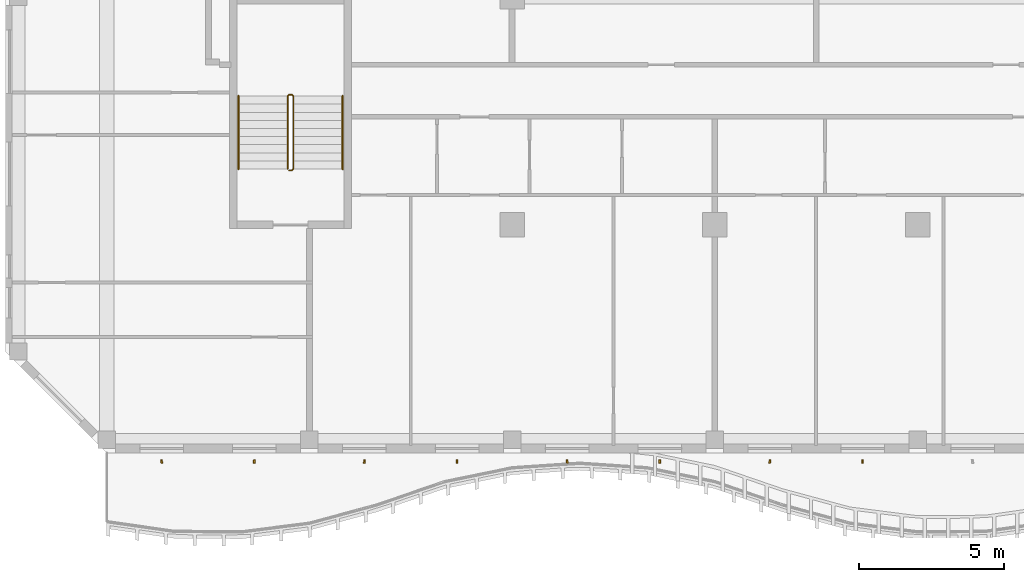
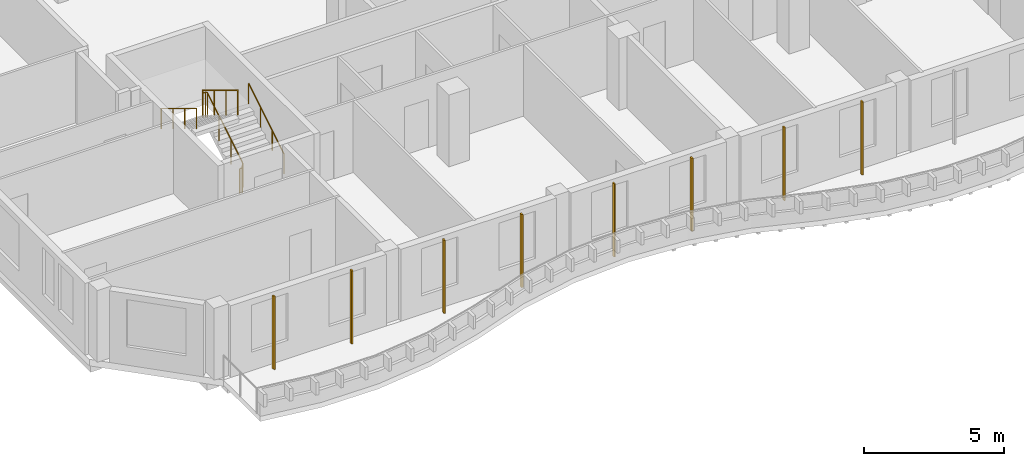
# One storey, part 11 of 17: 8 shading devices, 3 railings.
"""IFC4 building model written with IfcOpenShell, lengths in metres."""

from ifc_helpers import new_model, si_unit, direction, frame, origin, origin_2d, place, context, subcontext, project, spatial, rectangle, circle, extrude, source, transform, mapped, material, material_profile, profile_set, type_object, element, save


model = new_model("IFC4")

# Units and contexts
model_context = context("Model", 3, precision=1e-05, world=origin(), true_north=direction((0.0, 1.0)))
body_context = subcontext(model_context, "Body", "Model", "MODEL_VIEW")
ifc_project = project(units=[si_unit("LENGTHUNIT", "METRE"), si_unit("AREAUNIT", "SQUARE_METRE"), si_unit("VOLUMEUNIT", "CUBIC_METRE"), si_unit("PLANEANGLEUNIT", "RADIAN"), si_unit("MASSUNIT", "GRAM", prefix="KILO")], contexts=[model_context])

# Site, building, storey
site_placement = place(None, origin())
site = spatial("IfcSite", under=ifc_project, at=site_placement, CompositionType="ELEMENT")
building_placement = place(site_placement, origin())
building = spatial("IfcBuilding", under=site, at=building_placement, Name="Kilnfold Tower and Market Hall", CompositionType="ELEMENT")
storey_placement = place(building_placement, frame((0.0, 0.0, 298.39990234375)))
storey = spatial("IfcBuildingStorey", under=building, at=storey_placement, Name="L74", CompositionType="ELEMENT", Elevation=298.39990234375)

# Railings
ifc_material_1 = material(Name="Stainless steel 316", Category="steel")
railing_type_1 = type_object("IfcRailingType", Name="CORE STAIR GUARD 1100", PredefinedType="GUARDRAIL", material=ifc_material_1)
railing_1_placement = place(storey_placement, frame((-15.699951171875, -13.75, 0.0)))
element("IfcRailing", 1, at=railing_1_placement, inside=storey, type_object=railing_type_1, Name="L74 ST3 stair guard 1", PredefinedType="GUARDRAIL", context=body_context, shape_type="SweptSolid", body=[
    extrude(circle(Radius=0.02392578125, at=origin_2d()), frame((0.0, 0.0, 1.076171875), z_axis=(1.0, 0.0, 0.0), x_axis=(0.0, 1.0, 0.0)), (0.0, 0.0, 1.0), 0.099853515625),
    extrude(circle(Radius=0.02392578125, at=origin_2d()), frame((0.099853515625, 0.0, 1.076171875), z_axis=(0.271562723297, 0.271562723297, 0.923313259209), x_axis=(-0.707106781187, 0.707106781187, 0.0)), (0.0, 0.0, 1.0), 0.184326171875),
    extrude(circle(Radius=0.02392578125, at=origin_2d()), frame((0.14990234375, 0.050048828125, 1.24609375), z_axis=(0.0, 0.85478489116, 0.518982456201), x_axis=(-1.0, 0.0, 0.0)), (0.0, 0.0, 1.0), 2.9482421875),
    extrude(circle(Radius=0.02392578125, at=origin_2d()), frame((0.14990234375, 2.570068359375, 2.7763671875), z_axis=(-0.707106781187, 0.707106781187, 0.0), x_axis=(-0.707106781187, -0.707106781187, 0.0)), (0.0, 0.0, 1.0), 0.07080078125),
    extrude(circle(Radius=0.02392578125, at=origin_2d()), frame((0.099853515625, 2.6201171875, 2.7763671875), z_axis=(-1.0, 0.0, 0.0), x_axis=(0.0, -1.0, 0.0)), (0.0, 0.0, 1.0), 0.099853515625),
    extrude(circle(Radius=0.02392578125, at=origin_2d()), frame((0.0, 2.6201171875, 2.7763671875), z_axis=(-0.271895245746, -0.271895245746, 0.923117517265), x_axis=(0.707106781187, -0.707106781187, 0.0)), (0.0, 0.0, 1.0), 0.18408203125),
    extrude(circle(Radius=0.02392578125, at=origin_2d()), frame((-0.050048828125, 2.570068359375, 2.9462890625), z_axis=(0.0, -0.85478489116, 0.518982456201), x_axis=(1.0, 0.0, 0.0)), (0.0, 0.0, 1.0), 2.9482421875),
    extrude(circle(Radius=0.02099609375, at=origin_2d()), origin(), (0.0, 0.0, 1.0), 1.052001953125),
    extrude(circle(Radius=0.02099609375, at=origin_2d()), frame((0.099853515625, 0.0, 0.0)), (0.0, 0.0, 1.0), 1.052001953125),
    extrude(circle(Radius=0.02099609375, at=origin_2d()), frame((0.14990234375, 0.050048828125, 0.170166015625)), (0.0, 0.0, 1.0), 1.052001953125),
    extrude(circle(Radius=0.02099609375, at=origin_2d()), frame((0.14990234375, 0.89013671875, 0.68017578125)), (0.0, 0.0, 1.0), 1.052001953125),
    extrude(circle(Radius=0.02099609375, at=origin_2d()), frame((0.14990234375, 1.72998046875, 1.190185546875)), (0.0, 0.0, 1.0), 1.052001953125),
    extrude(circle(Radius=0.02099609375, at=origin_2d()), frame((0.14990234375, 2.570068359375, 1.7001953125)), (0.0, 0.0, 1.0), 1.052001953125),
    extrude(circle(Radius=0.02099609375, at=origin_2d()), frame((0.099853515625, 2.6201171875, 1.7001953125)), (0.0, 0.0, 1.0), 1.052001953125),
    extrude(circle(Radius=0.02099609375, at=origin_2d()), frame((0.0, 2.6201171875, 1.7001953125)), (0.0, 0.0, 1.0), 1.052001953125),
    extrude(circle(Radius=0.02099609375, at=origin_2d()), frame((-0.050048828125, 2.570068359375, 1.8701171875)), (0.0, 0.0, 1.0), 1.052001953125),
    extrude(circle(Radius=0.02099609375, at=origin_2d()), frame((-0.050048828125, 1.72998046875, 2.380126953125)), (0.0, 0.0, 1.0), 1.052001953125),
    extrude(circle(Radius=0.02099609375, at=origin_2d()), frame((-0.050048828125, 0.89013671875, 2.89013671875)), (0.0, 0.0, 1.0), 1.052001953125),
    extrude(circle(Radius=0.02099609375, at=origin_2d()), frame((-0.050048828125, 0.050048828125, 3.400146484375)), (0.0, 0.0, 1.0), 1.052001953125),
])
ifc_material_2 = material(Name="Stainless steel 316", Category="steel")
railing_type_2 = type_object("IfcRailingType", Name="CORE STAIR HANDRAIL 900", PredefinedType="HANDRAIL", material=ifc_material_2)
railing_2_placement = place(storey_placement, frame((-13.85009765625, -13.699951171875, 0.170166015625)))
element("IfcRailing", 2, at=railing_2_placement, inside=storey, type_object=railing_type_2, Name="L74 ST3 stair handrail 1", PredefinedType="HANDRAIL", context=body_context, shape_type="SweptSolid", body=[
    extrude(circle(Radius=0.02392578125, at=origin_2d()), frame((0.0, 0.0, 0.8759765625), z_axis=(0.0, 0.85478489116, 0.518982456201), x_axis=(-1.0, 0.0, 0.0)), (0.0, 0.0, 1.0), 2.9482421875),
    extrude(circle(Radius=0.02099609375, at=origin_2d()), origin(), (0.0, 0.0, 1.0), 0.851806640625),
    extrude(circle(Radius=0.02099609375, at=origin_2d()), frame((0.0, 0.840087890625, 0.510009765625)), (0.0, 0.0, 1.0), 0.851806640625),
    extrude(circle(Radius=0.02099609375, at=origin_2d()), frame((0.0, 1.679931640625, 1.02001953125)), (0.0, 0.0, 1.0), 0.851806640625),
    extrude(circle(Radius=0.02099609375, at=origin_2d()), frame((0.0, 2.52001953125, 1.530029296875)), (0.0, 0.0, 1.0), 0.851806640625),
])
railing_3_placement = place(storey_placement, frame((-17.449951171875, -11.179931640625, 1.8701171875)))
element("IfcRailing", 3, at=railing_3_placement, inside=storey, type_object=railing_type_2, Name="L74 ST3 stair handrail 2", PredefinedType="HANDRAIL", context=body_context, shape_type="SweptSolid", body=[
    extrude(circle(Radius=0.02392578125, at=origin_2d()), frame((0.0, 0.0, 0.8759765625), z_axis=(0.0, -0.85478489116, 0.518982456201), x_axis=(1.0, 0.0, 0.0)), (0.0, 0.0, 1.0), 2.9482421875),
    extrude(circle(Radius=0.02099609375, at=origin_2d()), origin(), (0.0, 0.0, 1.0), 0.851806640625),
    extrude(circle(Radius=0.02099609375, at=origin_2d()), frame((0.0, -0.840087890625, 0.510009765625)), (0.0, 0.0, 1.0), 0.851806640625),
    extrude(circle(Radius=0.02099609375, at=origin_2d()), frame((0.0, -1.679931640625, 1.02001953125)), (0.0, 0.0, 1.0), 0.851806640625),
    extrude(circle(Radius=0.02099609375, at=origin_2d()), frame((0.0, -2.52001953125, 1.530029296875)), (0.0, 0.0, 1.0), 0.851806640625),
])

# Shading devices
ifc_material_3 = material(Name="Terracotta", Category="masonry")
ifc_material_profile = material_profile(ifc_material_3, rectangle(XDim=0.06005859375, YDim=0.1201171875, at=origin_2d()), Name="BAG 60x120")
ifc_profile_set = profile_set([ifc_material_profile], Name="Terracotta")
shading_device_type = type_object("IfcShadingDeviceType", Name="BAGUETTE", PredefinedType="USERDEFINED", material=ifc_profile_set)
shared_shape = source(origin(), body_context, "Body", "SweptSolid", [
    extrude(rectangle(XDim=0.06005859375, YDim=0.1201171875, at=origin_2d()), origin(), (0.0, 0.0, 1.0), 3.18017578125),
])
for number, where, z_axis, x_axis, name in (
    (4, (-20.10009765625, -23.800048828125, 0.0), (0.0, 0.0, 1.0), (0.99069755656, 0.136082149547, 0.0), "Terracotta baguette L74 S"),
    (5, (-16.89990234375, -23.800048828125, 0.0), (0.0, 0.0, 1.0), (0.999942037103, -0.010766728127, 0.0), "Terracotta baguette L74 S"),
    (6, (-13.10009765625, -23.800048828125, 0.0), (0.0, 0.0, 1.0), (0.99069755656, -0.136082149547, 0.0), "Terracotta baguette L74 S"),
    (7, (-9.89990234375, -23.800048828125, 0.0), (0.0, 0.0, 1.0), (0.999942037103, 0.010766728127, 0.0), "Terracotta baguette L74 S"),
    (8, (-6.10009765625, -23.800048828125, 0.0), (0.0, 0.0, 1.0), (0.99069755656, 0.136082149547, 0.0), "Terracotta baguette L74 S"),
    (9, (-2.89990234375, -23.800048828125, 0.0), (0.0, 0.0, 1.0), (0.999942037103, -0.010766728127, 0.0), "Terracotta baguette L74 S"),
    (10, (0.89990234375, -23.800048828125, 0.0), (0.0, 0.0, 1.0), (0.99069755656, -0.136082149547, 0.0), "Terracotta baguette L74 S"),
    (11, (4.10009765625, -23.800048828125, 0.0), (0.0, 0.0, 1.0), (0.999942037103, 0.010766728127, 0.0), "Terracotta baguette L74 S"),
):
    element("IfcShadingDevice", number, at=place(storey_placement, frame(where, z_axis=z_axis, x_axis=x_axis)), inside=storey, type_object=shading_device_type, Name=name, ObjectType="BAGUETTE", PredefinedType="USERDEFINED", context=body_context, shape_type="MappedRepresentation", body=[
        mapped(shared_shape, transform((0.0, 0.0, 0.0))),
    ])

save(model, "model.ifc")
